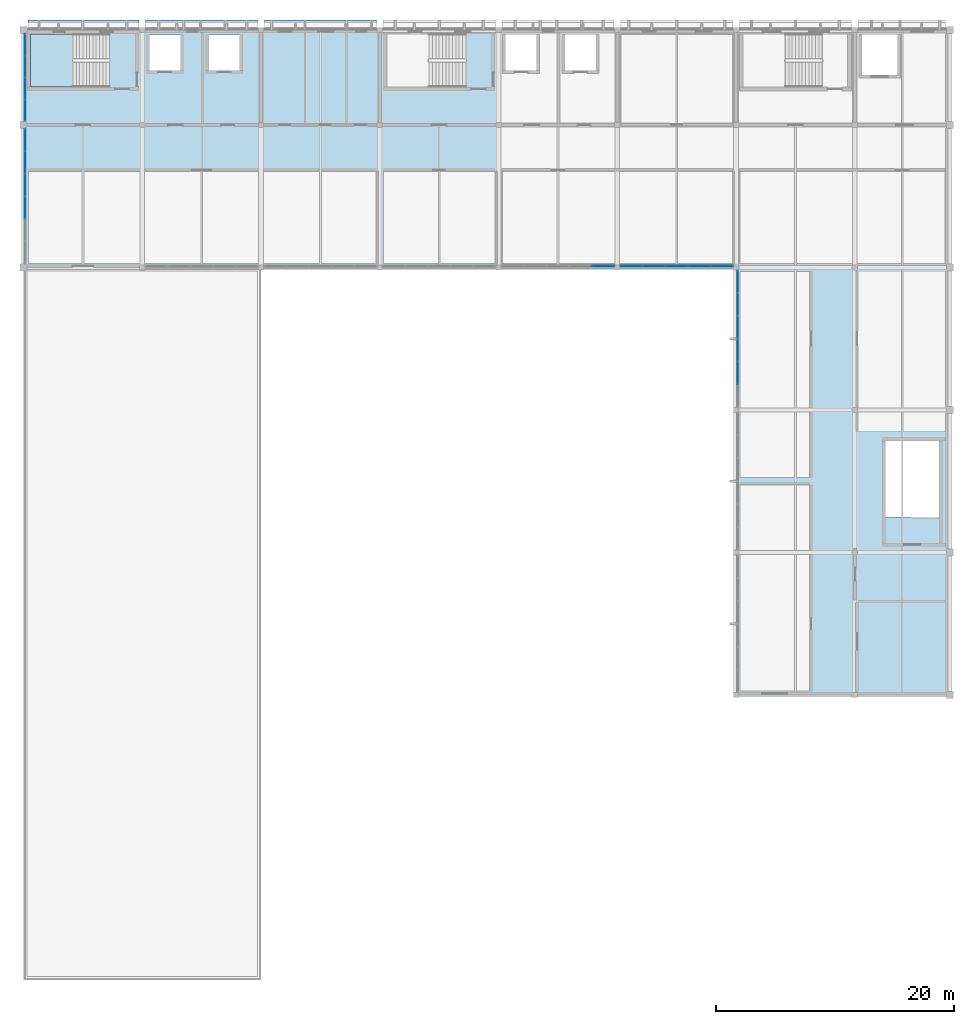
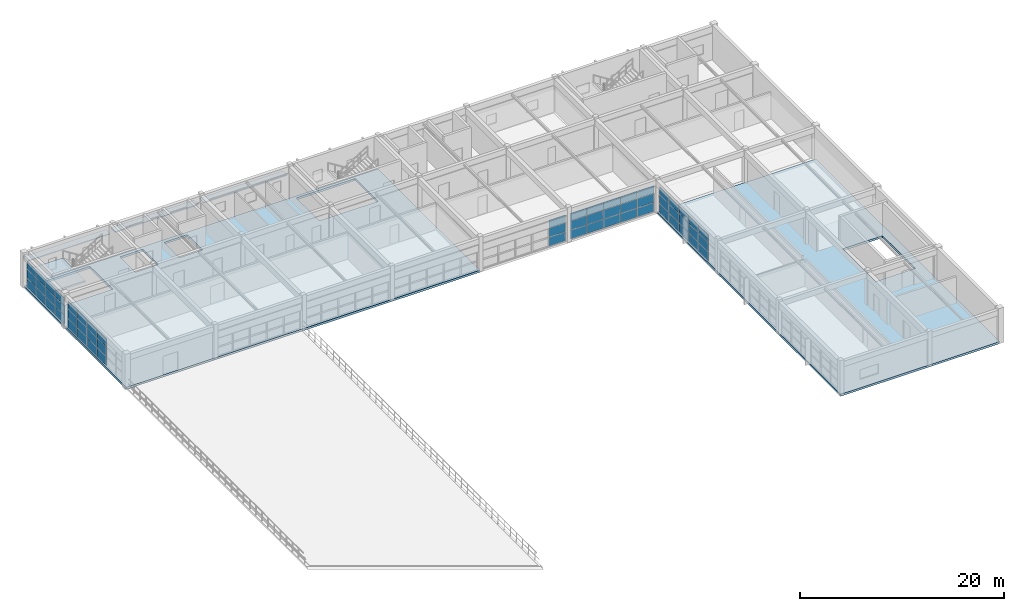
# One storey, part 12 of 21: 60 plates, 3 slabs, 6 elements without a shape of their own.
"""IFC4 building model written with IfcOpenShell, lengths in metres."""

from ifc_helpers import new_model, si_unit, direction, frame, origin, origin_2d, place, context, subcontext, project, spatial, polyline, rectangle, outline, extrude, material, layer, layer_set, type_object, element, aggregate, save


model = new_model("IFC4")

# Units and contexts
model_context = context("Model", 3, precision=1e-05, world=origin(), true_north=direction((0.0, 1.0)))
body_context = subcontext(model_context, "Body", "Model", "MODEL_VIEW")
ifc_project = project(units=[si_unit("LENGTHUNIT", "METRE"), si_unit("AREAUNIT", "SQUARE_METRE"), si_unit("VOLUMEUNIT", "CUBIC_METRE"), si_unit("PLANEANGLEUNIT", "RADIAN"), si_unit("MASSUNIT", "GRAM", prefix="KILO")], contexts=[model_context])

# Site, building, storey
site_placement = place(None, origin())
site = spatial("IfcSite", under=ifc_project, at=site_placement, CompositionType="ELEMENT")
building_placement = place(site_placement, origin())
building = spatial("IfcBuilding", under=site, at=building_placement, Name="Kivolera Central Railway Station", CompositionType="ELEMENT")
storey_placement = place(building_placement, frame((0.0, 0.0, 22.800048828125)))
storey = spatial("IfcBuildingStorey", under=building, at=storey_placement, Name="L05", CompositionType="ELEMENT", Elevation=22.800048828125)

# Curtain wall, plates
ifc_material_1 = material(Name="Anodised aluminium", Category="aluminium")
ifc_layer_1 = layer(ifc_material_1, 0.179931640625, Name="Anodised aluminium")
ifc_layer_set_1 = layer_set([ifc_layer_1], Name="Anodised aluminium")
curtain_wall_type_1 = type_object("IfcCurtainWallType", Name="CW-SYS-34", PredefinedType="NOTDEFINED", material=ifc_layer_set_1)
curtain_wall_1_placement = place(storey_placement, origin())
curtain_wall_1 = element("IfcCurtainWall", 1, at=curtain_wall_1_placement, inside=storey, type_object=curtain_wall_type_1, Name="L05 Curtain Wall CW-L05-CRTN-158", PredefinedType="NOTDEFINED")
ifc_material_2 = material(Name="Double low-E laminated glass", Category="glass")
ifc_layer_2 = layer(ifc_material_2, 0.02587890625, Name="Double low-E laminated glass")
ifc_layer_set_2 = layer_set([ifc_layer_2], Name="Double low-E laminated glass")
plate_type_1 = type_object("IfcPlateType", Name="CWP-GLZ-1", PredefinedType="CURTAIN_PANEL", material=ifc_layer_set_2)
plate_1_placement = place(storey_placement, frame((166.80908203125, 114.135009765625, 0.0478515625), z_axis=(0.0, 0.0, 1.0), x_axis=(-1.0, 0.0, 0.0)))
plate_1 = element("IfcPlate", 2, at=plate_1_placement, type_object=plate_type_1, Name="CW-34 panel 1.1", PredefinedType="CURTAIN_PANEL", context=body_context, shape_type="SweptSolid", body=[
    extrude(rectangle(XDim=1.845947265625, YDim=0.02587890625, at=origin_2d()), origin(), (0.0, 0.0, 1.0), 1.0498046875),
])
plate_2_placement = place(storey_placement, frame((166.80908203125, 114.135009765625, 1.1337890625), z_axis=(0.0, 0.0, 1.0), x_axis=(-1.0, 0.0, 0.0)))
plate_2 = element("IfcPlate", 3, at=plate_2_placement, type_object=plate_type_1, Name="CW-34 panel 1.2", PredefinedType="CURTAIN_PANEL", context=body_context, shape_type="SweptSolid", body=[
    extrude(rectangle(XDim=1.845947265625, YDim=0.02587890625, at=origin_2d()), origin(), (0.0, 0.0, 1.0), 1.079833984375),
])
plate_3_placement = place(storey_placement, frame((166.80908203125, 114.135009765625, 2.24951171875), z_axis=(0.0, 0.0, 1.0), x_axis=(-1.0, 0.0, 0.0)))
plate_3 = element("IfcPlate", 4, at=plate_3_placement, type_object=plate_type_1, Name="CW-34 panel 1.3", PredefinedType="CURTAIN_PANEL", context=body_context, shape_type="SweptSolid", body=[
    extrude(rectangle(XDim=1.845947265625, YDim=0.02587890625, at=origin_2d()), origin(), (0.0, 0.0, 1.0), 0.890380859375),
])
aggregate(curtain_wall_1, [plate_1, plate_2, plate_3])

curtain_wall_2_placement = place(storey_placement, origin())
curtain_wall_2 = element("IfcCurtainWall", 5, at=curtain_wall_2_placement, inside=storey, type_object=curtain_wall_type_1, Name="L05 Curtain Wall CW-L05-CRTN-168", PredefinedType="NOTDEFINED")
ifc_layer_3 = layer(ifc_material_2, 0.030029296875, Name="Double low-E laminated glass")
ifc_layer_set_3 = layer_set([ifc_layer_3], Name="Double low-E laminated glass")
plate_type_2 = type_object("IfcPlateType", Name="CWP-GLZ-2", PredefinedType="CURTAIN_PANEL", material=ifc_layer_set_3)
plate_4_placement = place(storey_placement, frame((176.80908203125, 114.135009765625, 0.0478515625), z_axis=(0.0, 0.0, 1.0), x_axis=(-1.0, 0.0, 0.0)))
plate_4 = element("IfcPlate", 6, at=plate_4_placement, type_object=plate_type_2, Name="CW-34 panel 1.1", PredefinedType="CURTAIN_PANEL", context=body_context, shape_type="SweptSolid", body=[
    extrude(rectangle(XDim=1.845947265625, YDim=0.030029296875, at=origin_2d()), origin(), (0.0, 0.0, 1.0), 1.0498046875),
])
plate_5_placement = place(storey_placement, frame((176.80908203125, 114.135009765625, 1.1337890625), z_axis=(0.0, 0.0, 1.0), x_axis=(-1.0, 0.0, 0.0)))
plate_5 = element("IfcPlate", 7, at=plate_5_placement, type_object=plate_type_2, Name="CW-34 panel 1.2", PredefinedType="CURTAIN_PANEL", context=body_context, shape_type="SweptSolid", body=[
    extrude(rectangle(XDim=1.845947265625, YDim=0.030029296875, at=origin_2d()), origin(), (0.0, 0.0, 1.0), 1.079833984375),
])
plate_6_placement = place(storey_placement, frame((176.80908203125, 114.135009765625, 2.24951171875), z_axis=(0.0, 0.0, 1.0), x_axis=(-1.0, 0.0, 0.0)))
plate_6 = element("IfcPlate", 8, at=plate_6_placement, type_object=plate_type_2, Name="CW-34 panel 1.3", PredefinedType="CURTAIN_PANEL", context=body_context, shape_type="SweptSolid", body=[
    extrude(rectangle(XDim=1.845947265625, YDim=0.030029296875, at=origin_2d()), origin(), (0.0, 0.0, 1.0), 0.890380859375),
])
plate_7_placement = place(storey_placement, frame((174.912109375, 114.135009765625, 0.0478515625), z_axis=(0.0, 0.0, 1.0), x_axis=(-1.0, 0.0, 0.0)))
plate_7 = element("IfcPlate", 9, at=plate_7_placement, type_object=plate_type_2, Name="CW-34 panel 2.1", PredefinedType="CURTAIN_PANEL", context=body_context, shape_type="SweptSolid", body=[
    extrude(rectangle(XDim=1.8759765625, YDim=0.030029296875, at=origin_2d()), origin(), (0.0, 0.0, 1.0), 1.0498046875),
])
plate_8_placement = place(storey_placement, frame((174.912109375, 114.135009765625, 1.1337890625), z_axis=(0.0, 0.0, 1.0), x_axis=(-1.0, 0.0, 0.0)))
plate_8 = element("IfcPlate", 10, at=plate_8_placement, type_object=plate_type_2, Name="CW-34 panel 2.2", PredefinedType="CURTAIN_PANEL", context=body_context, shape_type="SweptSolid", body=[
    extrude(rectangle(XDim=1.8759765625, YDim=0.030029296875, at=origin_2d()), origin(), (0.0, 0.0, 1.0), 1.079833984375),
])
plate_9_placement = place(storey_placement, frame((174.912109375, 114.135009765625, 2.24951171875), z_axis=(0.0, 0.0, 1.0), x_axis=(-1.0, 0.0, 0.0)))
plate_9 = element("IfcPlate", 11, at=plate_9_placement, type_object=plate_type_2, Name="CW-34 panel 2.3", PredefinedType="CURTAIN_PANEL", context=body_context, shape_type="SweptSolid", body=[
    extrude(rectangle(XDim=1.8759765625, YDim=0.030029296875, at=origin_2d()), origin(), (0.0, 0.0, 1.0), 0.890380859375),
])
plate_10_placement = place(storey_placement, frame((173.0, 114.135009765625, 0.0478515625), z_axis=(0.0, 0.0, 1.0), x_axis=(-1.0, 0.0, 0.0)))
plate_10 = element("IfcPlate", 12, at=plate_10_placement, type_object=plate_type_2, Name="CW-34 panel 3.1", PredefinedType="CURTAIN_PANEL", context=body_context, shape_type="SweptSolid", body=[
    extrude(rectangle(XDim=1.8759765625, YDim=0.030029296875, at=origin_2d()), origin(), (0.0, 0.0, 1.0), 1.0498046875),
])
plate_11_placement = place(storey_placement, frame((173.0, 114.135009765625, 1.1337890625), z_axis=(0.0, 0.0, 1.0), x_axis=(-1.0, 0.0, 0.0)))
plate_11 = element("IfcPlate", 13, at=plate_11_placement, type_object=plate_type_2, Name="CW-34 panel 3.2", PredefinedType="CURTAIN_PANEL", context=body_context, shape_type="SweptSolid", body=[
    extrude(rectangle(XDim=1.8759765625, YDim=0.030029296875, at=origin_2d()), origin(), (0.0, 0.0, 1.0), 1.079833984375),
])
plate_12_placement = place(storey_placement, frame((173.0, 114.135009765625, 2.24951171875), z_axis=(0.0, 0.0, 1.0), x_axis=(-1.0, 0.0, 0.0)))
plate_12 = element("IfcPlate", 14, at=plate_12_placement, type_object=plate_type_2, Name="CW-34 panel 3.3", PredefinedType="CURTAIN_PANEL", context=body_context, shape_type="SweptSolid", body=[
    extrude(rectangle(XDim=1.8759765625, YDim=0.030029296875, at=origin_2d()), origin(), (0.0, 0.0, 1.0), 0.890380859375),
])
plate_13_placement = place(storey_placement, frame((171.087890625, 114.135009765625, 0.0478515625), z_axis=(0.0, 0.0, 1.0), x_axis=(-1.0, 0.0, 0.0)))
plate_13 = element("IfcPlate", 15, at=plate_13_placement, type_object=plate_type_2, Name="CW-34 panel 4.1", PredefinedType="CURTAIN_PANEL", context=body_context, shape_type="SweptSolid", body=[
    extrude(rectangle(XDim=1.8759765625, YDim=0.030029296875, at=origin_2d()), origin(), (0.0, 0.0, 1.0), 1.0498046875),
])
plate_14_placement = place(storey_placement, frame((171.087890625, 114.135009765625, 1.1337890625), z_axis=(0.0, 0.0, 1.0), x_axis=(-1.0, 0.0, 0.0)))
plate_14 = element("IfcPlate", 16, at=plate_14_placement, type_object=plate_type_2, Name="CW-34 panel 4.2", PredefinedType="CURTAIN_PANEL", context=body_context, shape_type="SweptSolid", body=[
    extrude(rectangle(XDim=1.8759765625, YDim=0.030029296875, at=origin_2d()), origin(), (0.0, 0.0, 1.0), 1.079833984375),
])
plate_15_placement = place(storey_placement, frame((171.087890625, 114.135009765625, 2.24951171875), z_axis=(0.0, 0.0, 1.0), x_axis=(-1.0, 0.0, 0.0)))
plate_15 = element("IfcPlate", 17, at=plate_15_placement, type_object=plate_type_2, Name="CW-34 panel 4.3", PredefinedType="CURTAIN_PANEL", context=body_context, shape_type="SweptSolid", body=[
    extrude(rectangle(XDim=1.8759765625, YDim=0.030029296875, at=origin_2d()), origin(), (0.0, 0.0, 1.0), 0.890380859375),
])
plate_16_placement = place(storey_placement, frame((169.19091796875, 114.135009765625, 0.0478515625), z_axis=(0.0, 0.0, 1.0), x_axis=(-1.0, 0.0, 0.0)))
plate_16 = element("IfcPlate", 18, at=plate_16_placement, type_object=plate_type_2, Name="CW-34 panel 5.1", PredefinedType="CURTAIN_PANEL", context=body_context, shape_type="SweptSolid", body=[
    extrude(rectangle(XDim=1.845947265625, YDim=0.030029296875, at=origin_2d()), origin(), (0.0, 0.0, 1.0), 1.0498046875),
])
plate_17_placement = place(storey_placement, frame((169.19091796875, 114.135009765625, 1.1337890625), z_axis=(0.0, 0.0, 1.0), x_axis=(-1.0, 0.0, 0.0)))
plate_17 = element("IfcPlate", 19, at=plate_17_placement, type_object=plate_type_2, Name="CW-34 panel 5.2", PredefinedType="CURTAIN_PANEL", context=body_context, shape_type="SweptSolid", body=[
    extrude(rectangle(XDim=1.845947265625, YDim=0.030029296875, at=origin_2d()), origin(), (0.0, 0.0, 1.0), 1.079833984375),
])
plate_18_placement = place(storey_placement, frame((169.19091796875, 114.135009765625, 2.24951171875), z_axis=(0.0, 0.0, 1.0), x_axis=(-1.0, 0.0, 0.0)))
plate_18 = element("IfcPlate", 20, at=plate_18_placement, type_object=plate_type_2, Name="CW-34 panel 5.3", PredefinedType="CURTAIN_PANEL", context=body_context, shape_type="SweptSolid", body=[
    extrude(rectangle(XDim=1.845947265625, YDim=0.030029296875, at=origin_2d()), origin(), (0.0, 0.0, 1.0), 0.890380859375),
])
aggregate(curtain_wall_2, [plate_4, plate_5, plate_6, plate_7, plate_8, plate_9, plate_10, plate_11, plate_12, plate_13, plate_14, plate_15, plate_16, plate_17, plate_18])

ifc_layer_4 = layer(ifc_material_1, 0.179931640625, Name="Anodised aluminium")
ifc_layer_set_4 = layer_set([ifc_layer_4], Name="Anodised aluminium")
curtain_wall_type_2 = type_object("IfcCurtainWallType", Name="CW-SYS-35", PredefinedType="NOTDEFINED", material=ifc_layer_set_4)
curtain_wall_3_placement = place(storey_placement, origin())
curtain_wall_3 = element("IfcCurtainWall", 21, at=curtain_wall_3_placement, inside=storey, type_object=curtain_wall_type_2, Name="L05 Curtain Wall CW-L05-CRTE-J", PredefinedType="NOTDEFINED")
plate_19_placement = place(storey_placement, frame((178.135009765625, 105.110107421875, 0.0478515625), z_axis=(0.0, 0.0, 1.0), x_axis=(0.0, 1.0, 0.0)))
plate_19 = element("IfcPlate", 22, at=plate_19_placement, type_object=plate_type_2, Name="CW-35 panel 2.1", PredefinedType="CURTAIN_PANEL", context=body_context, shape_type="SweptSolid", body=[
    extrude(rectangle(XDim=1.890625, YDim=0.030029296875, at=origin_2d()), origin(), (0.0, 0.0, 1.0), 1.0498046875),
])
plate_20_placement = place(storey_placement, frame((178.135009765625, 105.110107421875, 1.1337890625), z_axis=(0.0, 0.0, 1.0), x_axis=(0.0, 1.0, 0.0)))
plate_20 = element("IfcPlate", 23, at=plate_20_placement, type_object=plate_type_2, Name="CW-35 panel 2.2", PredefinedType="CURTAIN_PANEL", context=body_context, shape_type="SweptSolid", body=[
    extrude(rectangle(XDim=1.890625, YDim=0.030029296875, at=origin_2d()), origin(), (0.0, 0.0, 1.0), 1.079833984375),
])
plate_21_placement = place(storey_placement, frame((178.135009765625, 105.110107421875, 2.24951171875), z_axis=(0.0, 0.0, 1.0), x_axis=(0.0, 1.0, 0.0)))
plate_21 = element("IfcPlate", 24, at=plate_21_placement, type_object=plate_type_2, Name="CW-35 panel 2.3", PredefinedType="CURTAIN_PANEL", context=body_context, shape_type="SweptSolid", body=[
    extrude(rectangle(XDim=1.890625, YDim=0.030029296875, at=origin_2d()), origin(), (0.0, 0.0, 1.0), 0.890380859375),
])
plate_22_placement = place(storey_placement, frame((178.135009765625, 107.03662109375, 0.0478515625), z_axis=(0.0, 0.0, 1.0), x_axis=(0.0, 1.0, 0.0)))
plate_22 = element("IfcPlate", 25, at=plate_22_placement, type_object=plate_type_2, Name="CW-35 panel 3.1", PredefinedType="CURTAIN_PANEL", context=body_context, shape_type="SweptSolid", body=[
    extrude(rectangle(XDim=1.890625, YDim=0.030029296875, at=origin_2d()), origin(), (0.0, 0.0, 1.0), 1.0498046875),
])
plate_23_placement = place(storey_placement, frame((178.135009765625, 107.03662109375, 1.1337890625), z_axis=(0.0, 0.0, 1.0), x_axis=(0.0, 1.0, 0.0)))
plate_23 = element("IfcPlate", 26, at=plate_23_placement, type_object=plate_type_2, Name="CW-35 panel 3.2", PredefinedType="CURTAIN_PANEL", context=body_context, shape_type="SweptSolid", body=[
    extrude(rectangle(XDim=1.890625, YDim=0.030029296875, at=origin_2d()), origin(), (0.0, 0.0, 1.0), 1.079833984375),
])
plate_24_placement = place(storey_placement, frame((178.135009765625, 107.03662109375, 2.24951171875), z_axis=(0.0, 0.0, 1.0), x_axis=(0.0, 1.0, 0.0)))
plate_24 = element("IfcPlate", 27, at=plate_24_placement, type_object=plate_type_2, Name="CW-35 panel 3.3", PredefinedType="CURTAIN_PANEL", context=body_context, shape_type="SweptSolid", body=[
    extrude(rectangle(XDim=1.890625, YDim=0.030029296875, at=origin_2d()), origin(), (0.0, 0.0, 1.0), 0.890380859375),
])
plate_25_placement = place(storey_placement, frame((178.135009765625, 108.96337890625, 0.0478515625), z_axis=(0.0, 0.0, 1.0), x_axis=(0.0, 1.0, 0.0)))
plate_25 = element("IfcPlate", 28, at=plate_25_placement, type_object=plate_type_2, Name="CW-35 panel 4.1", PredefinedType="CURTAIN_PANEL", context=body_context, shape_type="SweptSolid", body=[
    extrude(rectangle(XDim=1.890625, YDim=0.030029296875, at=origin_2d()), origin(), (0.0, 0.0, 1.0), 1.0498046875),
])
plate_26_placement = place(storey_placement, frame((178.135009765625, 108.96337890625, 1.1337890625), z_axis=(0.0, 0.0, 1.0), x_axis=(0.0, 1.0, 0.0)))
plate_26 = element("IfcPlate", 29, at=plate_26_placement, type_object=plate_type_2, Name="CW-35 panel 4.2", PredefinedType="CURTAIN_PANEL", context=body_context, shape_type="SweptSolid", body=[
    extrude(rectangle(XDim=1.890625, YDim=0.030029296875, at=origin_2d()), origin(), (0.0, 0.0, 1.0), 1.079833984375),
])
plate_27_placement = place(storey_placement, frame((178.135009765625, 108.96337890625, 2.24951171875), z_axis=(0.0, 0.0, 1.0), x_axis=(0.0, 1.0, 0.0)))
plate_27 = element("IfcPlate", 30, at=plate_27_placement, type_object=plate_type_2, Name="CW-35 panel 4.3", PredefinedType="CURTAIN_PANEL", context=body_context, shape_type="SweptSolid", body=[
    extrude(rectangle(XDim=1.890625, YDim=0.030029296875, at=origin_2d()), origin(), (0.0, 0.0, 1.0), 0.890380859375),
])
plate_28_placement = place(storey_placement, frame((178.135009765625, 110.889892578125, 0.0478515625), z_axis=(0.0, 0.0, 1.0), x_axis=(0.0, 1.0, 0.0)))
plate_28 = element("IfcPlate", 31, at=plate_28_placement, type_object=plate_type_2, Name="CW-35 panel 5.1", PredefinedType="CURTAIN_PANEL", context=body_context, shape_type="SweptSolid", body=[
    extrude(rectangle(XDim=1.890625, YDim=0.030029296875, at=origin_2d()), origin(), (0.0, 0.0, 1.0), 1.0498046875),
])
plate_29_placement = place(storey_placement, frame((178.135009765625, 110.889892578125, 1.1337890625), z_axis=(0.0, 0.0, 1.0), x_axis=(0.0, 1.0, 0.0)))
plate_29 = element("IfcPlate", 32, at=plate_29_placement, type_object=plate_type_2, Name="CW-35 panel 5.2", PredefinedType="CURTAIN_PANEL", context=body_context, shape_type="SweptSolid", body=[
    extrude(rectangle(XDim=1.890625, YDim=0.030029296875, at=origin_2d()), origin(), (0.0, 0.0, 1.0), 1.079833984375),
])
plate_30_placement = place(storey_placement, frame((178.135009765625, 110.889892578125, 2.24951171875), z_axis=(0.0, 0.0, 1.0), x_axis=(0.0, 1.0, 0.0)))
plate_30 = element("IfcPlate", 33, at=plate_30_placement, type_object=plate_type_2, Name="CW-35 panel 5.3", PredefinedType="CURTAIN_PANEL", context=body_context, shape_type="SweptSolid", body=[
    extrude(rectangle(XDim=1.890625, YDim=0.030029296875, at=origin_2d()), origin(), (0.0, 0.0, 1.0), 0.890380859375),
])
plate_31_placement = place(storey_placement, frame((178.135009765625, 112.8017578125, 0.0478515625), z_axis=(0.0, 0.0, 1.0), x_axis=(0.0, 1.0, 0.0)))
plate_31 = element("IfcPlate", 34, at=plate_31_placement, type_object=plate_type_2, Name="CW-35 panel 6.1", PredefinedType="CURTAIN_PANEL", context=body_context, shape_type="SweptSolid", body=[
    extrude(rectangle(XDim=1.860595703125, YDim=0.030029296875, at=origin_2d()), origin(), (0.0, 0.0, 1.0), 1.0498046875),
])
plate_32_placement = place(storey_placement, frame((178.135009765625, 112.8017578125, 1.1337890625), z_axis=(0.0, 0.0, 1.0), x_axis=(0.0, 1.0, 0.0)))
plate_32 = element("IfcPlate", 35, at=plate_32_placement, type_object=plate_type_2, Name="CW-35 panel 6.2", PredefinedType="CURTAIN_PANEL", context=body_context, shape_type="SweptSolid", body=[
    extrude(rectangle(XDim=1.860595703125, YDim=0.030029296875, at=origin_2d()), origin(), (0.0, 0.0, 1.0), 1.079833984375),
])
plate_33_placement = place(storey_placement, frame((178.135009765625, 112.8017578125, 2.24951171875), z_axis=(0.0, 0.0, 1.0), x_axis=(0.0, 1.0, 0.0)))
plate_33 = element("IfcPlate", 36, at=plate_33_placement, type_object=plate_type_2, Name="CW-35 panel 6.3", PredefinedType="CURTAIN_PANEL", context=body_context, shape_type="SweptSolid", body=[
    extrude(rectangle(XDim=1.860595703125, YDim=0.030029296875, at=origin_2d()), origin(), (0.0, 0.0, 1.0), 0.890380859375),
])
aggregate(curtain_wall_3, [plate_19, plate_20, plate_21, plate_22, plate_23, plate_24, plate_25, plate_26, plate_27, plate_28, plate_29, plate_30, plate_31, plate_32, plate_33])

ifc_layer_5 = layer(ifc_material_1, 0.179931640625, Name="Anodised aluminium")
ifc_layer_set_5 = layer_set([ifc_layer_5], Name="Anodised aluminium")
curtain_wall_type_3 = type_object("IfcCurtainWallType", Name="CW-SYS-33", PredefinedType="NOTDEFINED", material=ifc_layer_set_5)
curtain_wall_4_placement = place(storey_placement, origin())
curtain_wall_4 = element("IfcCurtainWall", 37, at=curtain_wall_4_placement, inside=storey, type_object=curtain_wall_type_3, Name="L05 Curtain Wall CW-L05-WEST-K", PredefinedType="NOTDEFINED")
ifc_layer_6 = layer(ifc_material_2, 0.0419921875, Name="Double low-E laminated glass")
ifc_layer_set_6 = layer_set([ifc_layer_6], Name="Double low-E laminated glass")
plate_type_3 = type_object("IfcPlateType", Name="CWP-GLZ-5", PredefinedType="CURTAIN_PANEL", material=ifc_layer_set_6)
plate_34_placement = place(storey_placement, frame((118.135009765625, 119.049072265625, 0.0478515625), z_axis=(0.0, 0.0, 1.0), x_axis=(0.0, 1.0, 0.0)))
plate_34 = element("IfcPlate", 38, at=plate_34_placement, type_object=plate_type_3, Name="CW-33 panel 3.1", PredefinedType="CURTAIN_PANEL", context=body_context, shape_type="SweptSolid", body=[
    extrude(rectangle(XDim=1.86572265625, YDim=0.0419921875, at=origin_2d()), origin(), (0.0, 0.0, 1.0), 1.084716796875),
])
plate_35_placement = place(storey_placement, frame((118.135009765625, 119.049072265625, 1.168701171875), z_axis=(0.0, 0.0, 1.0), x_axis=(0.0, 1.0, 0.0)))
plate_35 = element("IfcPlate", 39, at=plate_35_placement, type_object=plate_type_3, Name="CW-33 panel 3.2", PredefinedType="CURTAIN_PANEL", context=body_context, shape_type="SweptSolid", body=[
    extrude(rectangle(XDim=1.86572265625, YDim=0.0419921875, at=origin_2d()), origin(), (0.0, 0.0, 1.0), 1.11474609375),
])
plate_36_placement = place(storey_placement, frame((118.135009765625, 119.049072265625, 2.319580078125), z_axis=(0.0, 0.0, 1.0), x_axis=(0.0, 1.0, 0.0)))
plate_36 = element("IfcPlate", 40, at=plate_36_placement, type_object=plate_type_3, Name="CW-33 panel 3.3", PredefinedType="CURTAIN_PANEL", context=body_context, shape_type="SweptSolid", body=[
    extrude(rectangle(XDim=1.86572265625, YDim=0.0419921875, at=origin_2d()), origin(), (0.0, 0.0, 1.0), 0.92041015625),
])
plate_37_placement = place(storey_placement, frame((118.135009765625, 120.950927734375, 0.0478515625), z_axis=(0.0, 0.0, 1.0), x_axis=(0.0, 1.0, 0.0)))
plate_37 = element("IfcPlate", 41, at=plate_37_placement, type_object=plate_type_3, Name="CW-33 panel 4.1", PredefinedType="CURTAIN_PANEL", context=body_context, shape_type="SweptSolid", body=[
    extrude(rectangle(XDim=1.86572265625, YDim=0.0419921875, at=origin_2d()), origin(), (0.0, 0.0, 1.0), 1.084716796875),
])
plate_38_placement = place(storey_placement, frame((118.135009765625, 120.950927734375, 1.168701171875), z_axis=(0.0, 0.0, 1.0), x_axis=(0.0, 1.0, 0.0)))
plate_38 = element("IfcPlate", 42, at=plate_38_placement, type_object=plate_type_3, Name="CW-33 panel 4.2", PredefinedType="CURTAIN_PANEL", context=body_context, shape_type="SweptSolid", body=[
    extrude(rectangle(XDim=1.86572265625, YDim=0.0419921875, at=origin_2d()), origin(), (0.0, 0.0, 1.0), 1.11474609375),
])
plate_39_placement = place(storey_placement, frame((118.135009765625, 120.950927734375, 2.319580078125), z_axis=(0.0, 0.0, 1.0), x_axis=(0.0, 1.0, 0.0)))
plate_39 = element("IfcPlate", 43, at=plate_39_placement, type_object=plate_type_3, Name="CW-33 panel 4.3", PredefinedType="CURTAIN_PANEL", context=body_context, shape_type="SweptSolid", body=[
    extrude(rectangle(XDim=1.86572265625, YDim=0.0419921875, at=origin_2d()), origin(), (0.0, 0.0, 1.0), 0.92041015625),
])
plate_40_placement = place(storey_placement, frame((118.135009765625, 122.8525390625, 0.0478515625), z_axis=(0.0, 0.0, 1.0), x_axis=(0.0, 1.0, 0.0)))
plate_40 = element("IfcPlate", 44, at=plate_40_placement, type_object=plate_type_3, Name="CW-33 panel 5.1", PredefinedType="CURTAIN_PANEL", context=body_context, shape_type="SweptSolid", body=[
    extrude(rectangle(XDim=1.86572265625, YDim=0.0419921875, at=origin_2d()), origin(), (0.0, 0.0, 1.0), 1.084716796875),
])
plate_41_placement = place(storey_placement, frame((118.135009765625, 122.8525390625, 1.168701171875), z_axis=(0.0, 0.0, 1.0), x_axis=(0.0, 1.0, 0.0)))
plate_41 = element("IfcPlate", 45, at=plate_41_placement, type_object=plate_type_3, Name="CW-33 panel 5.2", PredefinedType="CURTAIN_PANEL", context=body_context, shape_type="SweptSolid", body=[
    extrude(rectangle(XDim=1.86572265625, YDim=0.0419921875, at=origin_2d()), origin(), (0.0, 0.0, 1.0), 1.11474609375),
])
plate_42_placement = place(storey_placement, frame((118.135009765625, 122.8525390625, 2.319580078125), z_axis=(0.0, 0.0, 1.0), x_axis=(0.0, 1.0, 0.0)))
plate_42 = element("IfcPlate", 46, at=plate_42_placement, type_object=plate_type_3, Name="CW-33 panel 5.3", PredefinedType="CURTAIN_PANEL", context=body_context, shape_type="SweptSolid", body=[
    extrude(rectangle(XDim=1.86572265625, YDim=0.0419921875, at=origin_2d()), origin(), (0.0, 0.0, 1.0), 0.92041015625),
])
plate_43_placement = place(storey_placement, frame((118.135009765625, 124.7392578125, 0.0478515625), z_axis=(0.0, 0.0, 1.0), x_axis=(0.0, 1.0, 0.0)))
plate_43 = element("IfcPlate", 47, at=plate_43_placement, type_object=plate_type_3, Name="CW-33 panel 6.1", PredefinedType="CURTAIN_PANEL", context=body_context, shape_type="SweptSolid", body=[
    extrude(rectangle(XDim=1.835693359375, YDim=0.0419921875, at=origin_2d()), origin(), (0.0, 0.0, 1.0), 1.084716796875),
])
plate_44_placement = place(storey_placement, frame((118.135009765625, 124.7392578125, 1.168701171875), z_axis=(0.0, 0.0, 1.0), x_axis=(0.0, 1.0, 0.0)))
plate_44 = element("IfcPlate", 48, at=plate_44_placement, type_object=plate_type_3, Name="CW-33 panel 6.2", PredefinedType="CURTAIN_PANEL", context=body_context, shape_type="SweptSolid", body=[
    extrude(rectangle(XDim=1.835693359375, YDim=0.0419921875, at=origin_2d()), origin(), (0.0, 0.0, 1.0), 1.11474609375),
])
plate_45_placement = place(storey_placement, frame((118.135009765625, 124.7392578125, 2.319580078125), z_axis=(0.0, 0.0, 1.0), x_axis=(0.0, 1.0, 0.0)))
plate_45 = element("IfcPlate", 49, at=plate_45_placement, type_object=plate_type_3, Name="CW-33 panel 6.3", PredefinedType="CURTAIN_PANEL", context=body_context, shape_type="SweptSolid", body=[
    extrude(rectangle(XDim=1.835693359375, YDim=0.0419921875, at=origin_2d()), origin(), (0.0, 0.0, 1.0), 0.92041015625),
])
aggregate(curtain_wall_4, [plate_34, plate_35, plate_36, plate_37, plate_38, plate_39, plate_40, plate_41, plate_42, plate_43, plate_44, plate_45])

ifc_layer_7 = layer(ifc_material_1, 0.179931640625, Name="Anodised aluminium")
ifc_layer_set_7 = layer_set([ifc_layer_7], Name="Anodised aluminium")
curtain_wall_type_4 = type_object("IfcCurtainWallType", Name="CW-SYS-36", PredefinedType="NOTDEFINED", material=ifc_layer_set_7)
curtain_wall_5_placement = place(storey_placement, origin())
curtain_wall_5 = element("IfcCurtainWall", 50, at=curtain_wall_5_placement, inside=storey, type_object=curtain_wall_type_4, Name="L05 Curtain Wall CW-L05-WEST-L", PredefinedType="NOTDEFINED")
plate_46_placement = place(storey_placement, frame((118.135009765625, 127.236328125, 0.0478515625), z_axis=(0.0, 0.0, 1.0), x_axis=(0.0, 1.0, 0.0)))
plate_46 = element("IfcPlate", 51, at=plate_46_placement, type_object=plate_type_3, Name="CW-36 panel 1.1", PredefinedType="CURTAIN_PANEL", context=body_context, shape_type="SweptSolid", body=[
    extrude(rectangle(XDim=1.78662109375, YDim=0.0419921875, at=origin_2d()), origin(), (0.0, 0.0, 1.0), 1.0498046875),
])
plate_47_placement = place(storey_placement, frame((118.135009765625, 127.236328125, 1.1337890625), z_axis=(0.0, 0.0, 1.0), x_axis=(0.0, 1.0, 0.0)))
plate_47 = element("IfcPlate", 52, at=plate_47_placement, type_object=plate_type_3, Name="CW-36 panel 1.2", PredefinedType="CURTAIN_PANEL", context=body_context, shape_type="SweptSolid", body=[
    extrude(rectangle(XDim=1.78662109375, YDim=0.0419921875, at=origin_2d()), origin(), (0.0, 0.0, 1.0), 1.079833984375),
])
plate_48_placement = place(storey_placement, frame((118.135009765625, 127.236328125, 2.24951171875), z_axis=(0.0, 0.0, 1.0), x_axis=(0.0, 1.0, 0.0)))
plate_48 = element("IfcPlate", 53, at=plate_48_placement, type_object=plate_type_3, Name="CW-36 panel 1.3", PredefinedType="CURTAIN_PANEL", context=body_context, shape_type="SweptSolid", body=[
    extrude(rectangle(XDim=1.78662109375, YDim=0.0419921875, at=origin_2d()), origin(), (0.0, 0.0, 1.0), 0.890380859375),
])
plate_49_placement = place(storey_placement, frame((118.135009765625, 129.07373046875, 0.0478515625), z_axis=(0.0, 0.0, 1.0), x_axis=(0.0, 1.0, 0.0)))
plate_49 = element("IfcPlate", 54, at=plate_49_placement, type_object=plate_type_3, Name="CW-36 panel 2.1", PredefinedType="CURTAIN_PANEL", context=body_context, shape_type="SweptSolid", body=[
    extrude(rectangle(XDim=1.81640625, YDim=0.0419921875, at=origin_2d()), origin(), (0.0, 0.0, 1.0), 1.0498046875),
])
plate_50_placement = place(storey_placement, frame((118.135009765625, 129.07373046875, 1.1337890625), z_axis=(0.0, 0.0, 1.0), x_axis=(0.0, 1.0, 0.0)))
plate_50 = element("IfcPlate", 55, at=plate_50_placement, type_object=plate_type_3, Name="CW-36 panel 2.2", PredefinedType="CURTAIN_PANEL", context=body_context, shape_type="SweptSolid", body=[
    extrude(rectangle(XDim=1.81640625, YDim=0.0419921875, at=origin_2d()), origin(), (0.0, 0.0, 1.0), 1.079833984375),
])
plate_51_placement = place(storey_placement, frame((118.135009765625, 129.07373046875, 2.24951171875), z_axis=(0.0, 0.0, 1.0), x_axis=(0.0, 1.0, 0.0)))
plate_51 = element("IfcPlate", 56, at=plate_51_placement, type_object=plate_type_3, Name="CW-36 panel 2.3", PredefinedType="CURTAIN_PANEL", context=body_context, shape_type="SweptSolid", body=[
    extrude(rectangle(XDim=1.81640625, YDim=0.0419921875, at=origin_2d()), origin(), (0.0, 0.0, 1.0), 0.890380859375),
])
plate_52_placement = place(storey_placement, frame((118.135009765625, 130.92626953125, 0.0478515625), z_axis=(0.0, 0.0, 1.0), x_axis=(0.0, 1.0, 0.0)))
plate_52 = element("IfcPlate", 57, at=plate_52_placement, type_object=plate_type_3, Name="CW-36 panel 3.1", PredefinedType="CURTAIN_PANEL", context=body_context, shape_type="SweptSolid", body=[
    extrude(rectangle(XDim=1.81640625, YDim=0.0419921875, at=origin_2d()), origin(), (0.0, 0.0, 1.0), 1.0498046875),
])
plate_53_placement = place(storey_placement, frame((118.135009765625, 130.92626953125, 1.1337890625), z_axis=(0.0, 0.0, 1.0), x_axis=(0.0, 1.0, 0.0)))
plate_53 = element("IfcPlate", 58, at=plate_53_placement, type_object=plate_type_3, Name="CW-36 panel 3.2", PredefinedType="CURTAIN_PANEL", context=body_context, shape_type="SweptSolid", body=[
    extrude(rectangle(XDim=1.81640625, YDim=0.0419921875, at=origin_2d()), origin(), (0.0, 0.0, 1.0), 1.079833984375),
])
plate_54_placement = place(storey_placement, frame((118.135009765625, 130.92626953125, 2.24951171875), z_axis=(0.0, 0.0, 1.0), x_axis=(0.0, 1.0, 0.0)))
plate_54 = element("IfcPlate", 59, at=plate_54_placement, type_object=plate_type_3, Name="CW-36 panel 3.3", PredefinedType="CURTAIN_PANEL", context=body_context, shape_type="SweptSolid", body=[
    extrude(rectangle(XDim=1.81640625, YDim=0.0419921875, at=origin_2d()), origin(), (0.0, 0.0, 1.0), 0.890380859375),
])
plate_55_placement = place(storey_placement, frame((118.135009765625, 132.763671875, 0.0478515625), z_axis=(0.0, 0.0, 1.0), x_axis=(0.0, 1.0, 0.0)))
plate_55 = element("IfcPlate", 60, at=plate_55_placement, type_object=plate_type_3, Name="CW-36 panel 4.1", PredefinedType="CURTAIN_PANEL", context=body_context, shape_type="SweptSolid", body=[
    extrude(rectangle(XDim=1.78662109375, YDim=0.0419921875, at=origin_2d()), origin(), (0.0, 0.0, 1.0), 1.0498046875),
])
plate_56_placement = place(storey_placement, frame((118.135009765625, 132.763671875, 1.1337890625), z_axis=(0.0, 0.0, 1.0), x_axis=(0.0, 1.0, 0.0)))
plate_56 = element("IfcPlate", 61, at=plate_56_placement, type_object=plate_type_3, Name="CW-36 panel 4.2", PredefinedType="CURTAIN_PANEL", context=body_context, shape_type="SweptSolid", body=[
    extrude(rectangle(XDim=1.78662109375, YDim=0.0419921875, at=origin_2d()), origin(), (0.0, 0.0, 1.0), 1.079833984375),
])
plate_57_placement = place(storey_placement, frame((118.135009765625, 132.763671875, 2.24951171875), z_axis=(0.0, 0.0, 1.0), x_axis=(0.0, 1.0, 0.0)))
plate_57 = element("IfcPlate", 62, at=plate_57_placement, type_object=plate_type_3, Name="CW-36 panel 4.3", PredefinedType="CURTAIN_PANEL", context=body_context, shape_type="SweptSolid", body=[
    extrude(rectangle(XDim=1.78662109375, YDim=0.0419921875, at=origin_2d()), origin(), (0.0, 0.0, 1.0), 0.890380859375),
])
aggregate(curtain_wall_5, [plate_46, plate_47, plate_48, plate_49, plate_50, plate_51, plate_52, plate_53, plate_54, plate_55, plate_56, plate_57])

# Plates
ifc_layer_8 = layer(ifc_material_1, 0.094970703125, Name="Anodised aluminium")
ifc_layer_set_8 = layer_set([ifc_layer_8], Name="Anodised aluminium")
plate_type_4 = type_object("IfcPlateType", Name="PLT-EGGHOOD-95", PredefinedType="SHEET", material=ifc_layer_set_8)
plate_58_placement = place(storey_placement, frame((123.037109375, 134.4130859375, 2.7724609375), z_axis=(0.0, 0.0, 1.0), x_axis=(1.0, 0.0, 0.0)))
element("IfcPlate", 63, at=plate_58_placement, inside=storey, type_object=plate_type_4, Name="L05 North Afro-Modernist Monsoon Sun-Hood 1", PredefinedType="SHEET", context=body_context, shape_type="SweptSolid", body=[
    extrude(rectangle(XDim=9.364990234375, YDim=0.85009765625, at=origin_2d()), origin(), (0.0, 0.0, 1.0), 0.094970703125),
])
for number, where, z_axis, x_axis, name in (
    (64, (133.0, 134.4130859375, 2.7724609375), (0.0, 0.0, 1.0), (1.0, 0.0, 0.0), "L05 North Afro-Modernist Monsoon Sun-Hood 2"),
    (65, (143.0, 134.4130859375, 2.7724609375), (0.0, 0.0, 1.0), (1.0, 0.0, 0.0), "L05 North Afro-Modernist Monsoon Sun-Hood 3"),
):
    element("IfcPlate", number, at=place(storey_placement, frame(where, z_axis=z_axis, x_axis=x_axis)), inside=storey, type_object=plate_type_4, Name=name, PredefinedType="SHEET", context=body_context, shape_type="SweptSolid", body=[
        extrude(rectangle(XDim=9.43994140625, YDim=0.85009765625, at=origin_2d()), origin(), (0.0, 0.0, 1.0), 0.094970703125),
    ])

# Slabs
ifc_material_3 = material(Name="Concrete C40/50", Category="concrete")
ifc_layer_9 = layer(ifc_material_3, 0.25, Name="Concrete C40/50")
ifc_layer_set_9 = layer_set([ifc_layer_9], Name="Concrete C40/50")
slab_type_1 = type_object("IfcSlabType", Name="SLB-FLR-250", PredefinedType="FLOOR", material=ifc_layer_set_9)
slab_1_placement = place(storey_placement, frame((0.0, 0.0, -0.25)))
element("IfcSlab", 66, at=slab_1_placement, inside=storey, type_object=slab_type_1, Name="L05 Wing NORTH-W Floor Slab", PredefinedType="FLOOR", context=body_context, shape_type="SweptSolid", body=[
    extrude(outline(polyline([(118.0, 114.0), (158.0, 114.0), (158.0, 134.0), (118.0, 134.0), (118.0, 114.0)]), holes=[polyline([(125.239990234375, 133.679931640625), (118.60009765625, 133.679931640625), (118.60009765625, 129.179931640625), (125.239990234375, 129.179931640625), (125.239990234375, 133.679931640625)]), polyline([(155.239990234375, 133.679931640625), (148.60009765625, 133.679931640625), (148.60009765625, 129.179931640625), (155.239990234375, 129.179931640625), (155.239990234375, 133.679931640625)]), polyline([(128.60009765625, 130.60009765625), (131.199951171875, 130.60009765625), (131.199951171875, 133.60009765625), (128.60009765625, 133.60009765625), (128.60009765625, 130.60009765625)]), polyline([(133.60009765625, 130.60009765625), (136.199951171875, 130.60009765625), (136.199951171875, 133.60009765625), (133.60009765625, 133.60009765625), (133.60009765625, 130.60009765625)])]), origin(), (0.0, 0.0, 1.0), 0.25),
])
slab_2_placement = place(storey_placement, frame((0.0, 0.0, -0.25)))
element("IfcSlab", 67, at=slab_2_placement, inside=storey, type_object=slab_type_1, Name="L05 Wing EAST Floor Slab", PredefinedType="FLOOR", context=body_context, shape_type="SweptSolid", body=[
    extrude(outline(polyline([(178.0, 78.0), (196.0, 78.0), (196.0, 114.0), (178.0, 114.0), (178.0, 78.0)]), holes=[polyline([(195.10009765625, 92.9599609375), (195.10009765625, 99.39990234375), (190.60009765625, 99.39990234375), (190.60009765625, 92.9599609375), (195.10009765625, 92.9599609375)])]), origin(), (0.0, 0.0, 1.0), 0.25),
])

# Stair, slab
stair_type = type_object("IfcStairType", Name="STR-2160-24", PredefinedType="HALF_TURN_STAIR", material=ifc_material_3)
stair_placement = place(storey_placement, origin())
stair = element("IfcStair", 68, at=stair_placement, inside=storey, type_object=stair_type, Name="L05 Protected Exit Stair ST1", PredefinedType="HALF_TURN_STAIR")
ifc_layer_10 = layer(ifc_material_3, 0.199951171875, Name="Concrete C40/50")
ifc_layer_set_10 = layer_set([ifc_layer_10], Name="Concrete C40/50")
slab_type_2 = type_object("IfcSlabType", Name="SLB-LND-200", PredefinedType="LANDING", material=ifc_layer_set_10)
slab_3_placement = place(storey_placement, frame((0.0, 0.0, 1.89990234375)))
slab_3 = element("IfcSlab", 69, at=slab_3_placement, type_object=slab_type_2, Name="ST1 landing 1", PredefinedType="LANDING", context=body_context, shape_type="SweptSolid", body=[
    extrude(outline(polyline([(122.159912109375, 133.679931640625), (118.60009765625, 133.679931640625), (118.60009765625, 129.179931640625), (122.159912109375, 129.179931640625), (122.159912109375, 133.679931640625)])), origin(), (0.0, 0.0, 1.0), 0.199951171875),
])
aggregate(stair, [slab_3])

save(model, "model.ifc")
